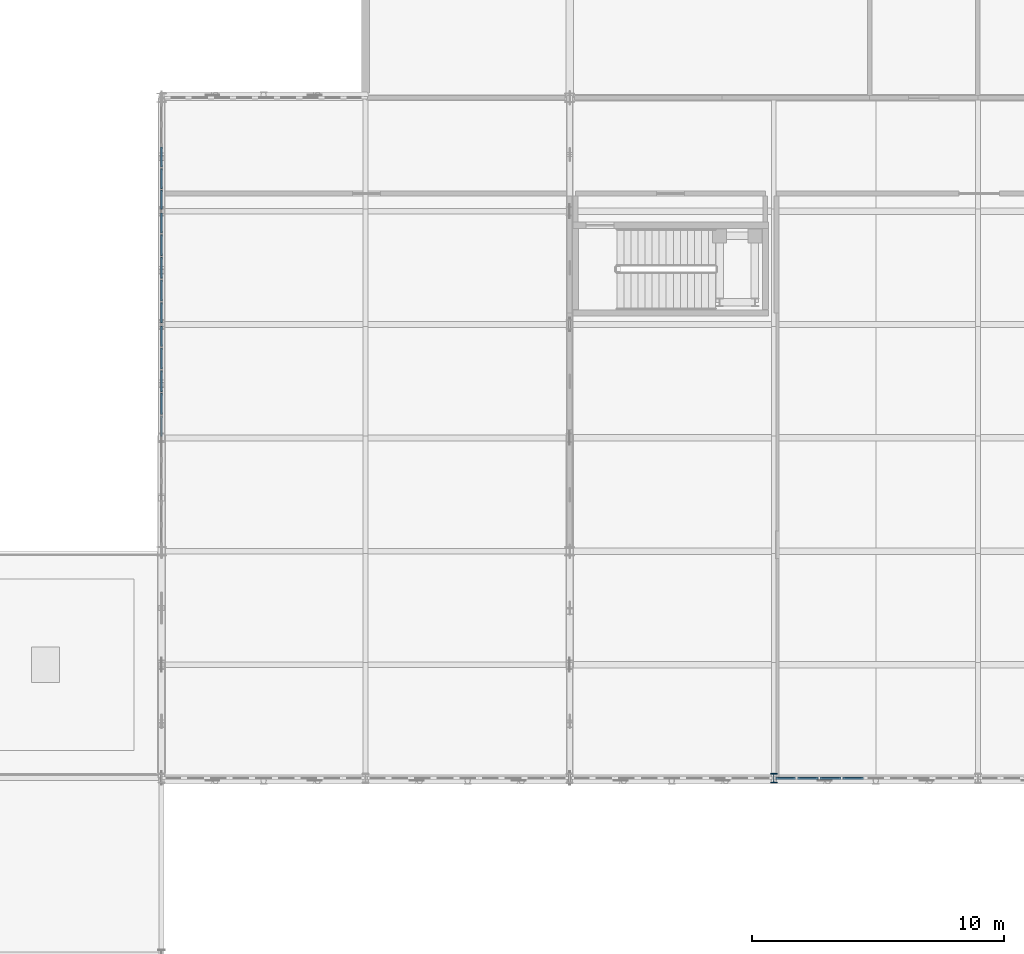
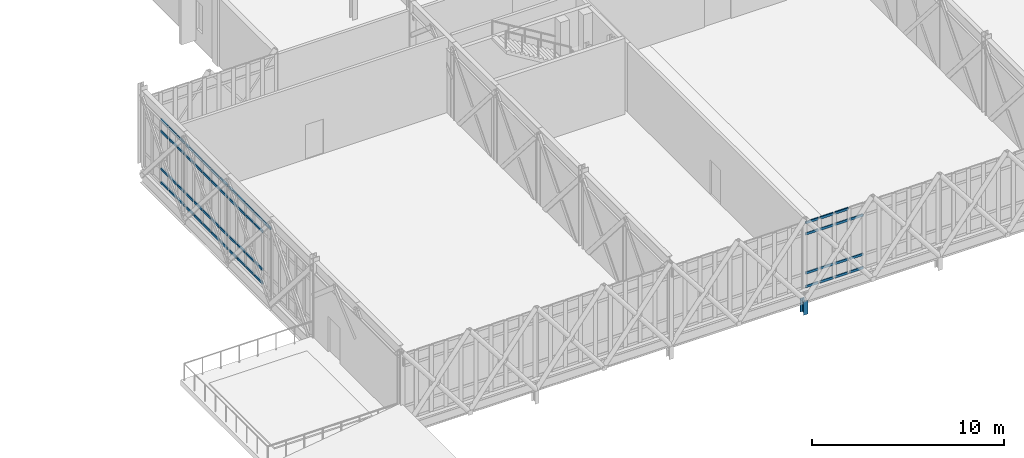
# One storey, part 45 of 107: 65 members, 4 elements without a shape of their own.
"""IFC4 building model written with IfcOpenShell, lengths in metres."""

from ifc_helpers import new_model, si_unit, direction, frame, origin, origin_2d, place, context, subcontext, project, spatial, rectangle, i_section, extrude, material, material_profile, profile_set, type_object, element, aggregate, save


model = new_model("IFC4")

# Units and contexts
model_context = context("Model", 3, precision=1e-05, world=origin(), true_north=direction((0.0, 1.0)))
body_context = subcontext(model_context, "Body", "Model", "MODEL_VIEW")
ifc_project = project(units=[si_unit("LENGTHUNIT", "METRE"), si_unit("AREAUNIT", "SQUARE_METRE"), si_unit("VOLUMEUNIT", "CUBIC_METRE"), si_unit("PLANEANGLEUNIT", "RADIAN"), si_unit("MASSUNIT", "GRAM", prefix="KILO")], contexts=[model_context])

# Site, building, storey
site_placement = place(None, origin())
site = spatial("IfcSite", under=ifc_project, at=site_placement, CompositionType="ELEMENT")
building_placement = place(site_placement, origin())
building = spatial("IfcBuilding", under=site, at=building_placement, Name="Tarnveldt Square Police Headquarters", CompositionType="ELEMENT")
storey_placement = place(building_placement, frame((0.0, 0.0, 14.699951171875)))
storey = spatial("IfcBuildingStorey", under=building, at=storey_placement, Name="L03", CompositionType="ELEMENT", Elevation=14.699951171875)

# Curtain wall, members
ifc_material_1 = material(Name="UL 752 Level III laminated ballistic vision glass", Category="glass")
curtain_wall_type_1 = type_object("IfcCurtainWallType", Name="CW-BL-810x414", PredefinedType="USERDEFINED", material=ifc_material_1)
curtain_wall_1_placement = place(storey_placement, origin())
curtain_wall_1 = element("IfcCurtainWall", 1, at=curtain_wall_1_placement, inside=storey, type_object=curtain_wall_type_1, Name="L03 Curtain Wall CW-L03-026", ObjectType="BALLISTIC CURTAIN WALL", PredefinedType="USERDEFINED")
ifc_material_2 = material(Name="Thermally broken anodised aluminium 6063-T6", Category="aluminium")
ifc_material_profile_1 = material_profile(ifc_material_2, rectangle(XDim=0.074951171875, YDim=0.14990234375, at=origin_2d()), Name="CW-T75x150")
ifc_profile_set_1 = profile_set([ifc_material_profile_1], Name="Thermally broken anodised aluminium 6063-T6")
member_type_1 = type_object("IfcMemberType", Name="CWT-75x150", PredefinedType="USERDEFINED", material=ifc_profile_set_1)
member_1_placement = place(storey_placement, frame((32.485107421875, 7.0, 0.03759765625), z_axis=(1.0, 0.0, 0.0), x_axis=(0.0, 1.0, 0.0)))
member_1 = element("IfcMember", 2, at=member_1_placement, type_object=member_type_1, Name="CW-BL13 transom 1.1", ObjectType="TRANSOM", PredefinedType="USERDEFINED", context=body_context, shape_type="SweptSolid", body=[
    extrude(rectangle(XDim=0.074951171875, YDim=0.14990234375, at=origin_2d()), origin(), (0.0, 0.0, 1.0), 0.7724609375),
])
member_2_placement = place(storey_placement, frame((32.485107421875, 7.0, 0.900146484375), z_axis=(1.0, 0.0, 0.0), x_axis=(0.0, 1.0, 0.0)))
member_2 = element("IfcMember", 3, at=member_2_placement, type_object=member_type_1, Name="CW-BL13 transom 1.2", ObjectType="TRANSOM", PredefinedType="USERDEFINED", context=body_context, shape_type="SweptSolid", body=[
    extrude(rectangle(XDim=0.074951171875, YDim=0.14990234375, at=origin_2d()), origin(), (0.0, 0.0, 1.0), 0.7724609375),
])
member_3_placement = place(storey_placement, frame((32.485107421875, 7.0, 3.39404296875), z_axis=(1.0, 0.0, 0.0), x_axis=(0.0, 1.0, 0.0)))
member_3 = element("IfcMember", 4, at=member_3_placement, type_object=member_type_1, Name="CW-BL13 transom 1.3", ObjectType="TRANSOM", PredefinedType="USERDEFINED", context=body_context, shape_type="SweptSolid", body=[
    extrude(rectangle(XDim=0.074951171875, YDim=0.14990234375, at=origin_2d()), origin(), (0.0, 0.0, 1.0), 0.7724609375),
])
member_4_placement = place(storey_placement, frame((32.485107421875, 7.0, 4.1064453125), z_axis=(1.0, 0.0, 0.0), x_axis=(0.0, 1.0, 0.0)))
member_4 = element("IfcMember", 5, at=member_4_placement, type_object=member_type_1, Name="CW-BL13 transom 1.4", ObjectType="TRANSOM", PredefinedType="USERDEFINED", context=body_context, shape_type="SweptSolid", body=[
    extrude(rectangle(XDim=0.074951171875, YDim=0.14990234375, at=origin_2d()), origin(), (0.0, 0.0, 1.0), 0.7724609375),
])
member_5_placement = place(storey_placement, frame((33.342529296875, 7.0, 0.03759765625), z_axis=(1.0, 0.0, 0.0), x_axis=(0.0, 1.0, 0.0)))
member_5 = element("IfcMember", 6, at=member_5_placement, type_object=member_type_1, Name="CW-BL13 transom 2.1", ObjectType="TRANSOM", PredefinedType="USERDEFINED", context=body_context, shape_type="SweptSolid", body=[
    extrude(rectangle(XDim=0.074951171875, YDim=0.14990234375, at=origin_2d()), origin(), (0.0, 0.0, 1.0), 0.81494140625),
])
member_6_placement = place(storey_placement, frame((33.342529296875, 7.0, 0.900146484375), z_axis=(1.0, 0.0, 0.0), x_axis=(0.0, 1.0, 0.0)))
member_6 = element("IfcMember", 7, at=member_6_placement, type_object=member_type_1, Name="CW-BL13 transom 2.2", ObjectType="TRANSOM", PredefinedType="USERDEFINED", context=body_context, shape_type="SweptSolid", body=[
    extrude(rectangle(XDim=0.074951171875, YDim=0.14990234375, at=origin_2d()), origin(), (0.0, 0.0, 1.0), 0.81494140625),
])
member_7_placement = place(storey_placement, frame((33.342529296875, 7.0, 3.39404296875), z_axis=(1.0, 0.0, 0.0), x_axis=(0.0, 1.0, 0.0)))
member_7 = element("IfcMember", 8, at=member_7_placement, type_object=member_type_1, Name="CW-BL13 transom 2.3", ObjectType="TRANSOM", PredefinedType="USERDEFINED", context=body_context, shape_type="SweptSolid", body=[
    extrude(rectangle(XDim=0.074951171875, YDim=0.14990234375, at=origin_2d()), origin(), (0.0, 0.0, 1.0), 0.81494140625),
])
member_8_placement = place(storey_placement, frame((33.342529296875, 7.0, 4.1064453125), z_axis=(1.0, 0.0, 0.0), x_axis=(0.0, 1.0, 0.0)))
member_8 = element("IfcMember", 9, at=member_8_placement, type_object=member_type_1, Name="CW-BL13 transom 2.4", ObjectType="TRANSOM", PredefinedType="USERDEFINED", context=body_context, shape_type="SweptSolid", body=[
    extrude(rectangle(XDim=0.074951171875, YDim=0.14990234375, at=origin_2d()), origin(), (0.0, 0.0, 1.0), 0.81494140625),
])
member_9_placement = place(storey_placement, frame((34.242431640625, 7.0, 0.03759765625), z_axis=(1.0, 0.0, 0.0), x_axis=(0.0, 1.0, 0.0)))
member_9 = element("IfcMember", 10, at=member_9_placement, type_object=member_type_1, Name="CW-BL13 transom 3.1", ObjectType="TRANSOM", PredefinedType="USERDEFINED", context=body_context, shape_type="SweptSolid", body=[
    extrude(rectangle(XDim=0.074951171875, YDim=0.14990234375, at=origin_2d()), origin(), (0.0, 0.0, 1.0), 0.815185546875),
])
member_10_placement = place(storey_placement, frame((34.242431640625, 7.0, 0.900146484375), z_axis=(1.0, 0.0, 0.0), x_axis=(0.0, 1.0, 0.0)))
member_10 = element("IfcMember", 11, at=member_10_placement, type_object=member_type_1, Name="CW-BL13 transom 3.2", ObjectType="TRANSOM", PredefinedType="USERDEFINED", context=body_context, shape_type="SweptSolid", body=[
    extrude(rectangle(XDim=0.074951171875, YDim=0.14990234375, at=origin_2d()), origin(), (0.0, 0.0, 1.0), 0.815185546875),
])
member_11_placement = place(storey_placement, frame((34.242431640625, 7.0, 3.39404296875), z_axis=(1.0, 0.0, 0.0), x_axis=(0.0, 1.0, 0.0)))
member_11 = element("IfcMember", 12, at=member_11_placement, type_object=member_type_1, Name="CW-BL13 transom 3.3", ObjectType="TRANSOM", PredefinedType="USERDEFINED", context=body_context, shape_type="SweptSolid", body=[
    extrude(rectangle(XDim=0.074951171875, YDim=0.14990234375, at=origin_2d()), origin(), (0.0, 0.0, 1.0), 0.815185546875),
])
member_12_placement = place(storey_placement, frame((34.242431640625, 7.0, 4.1064453125), z_axis=(1.0, 0.0, 0.0), x_axis=(0.0, 1.0, 0.0)))
member_12 = element("IfcMember", 13, at=member_12_placement, type_object=member_type_1, Name="CW-BL13 transom 3.4", ObjectType="TRANSOM", PredefinedType="USERDEFINED", context=body_context, shape_type="SweptSolid", body=[
    extrude(rectangle(XDim=0.074951171875, YDim=0.14990234375, at=origin_2d()), origin(), (0.0, 0.0, 1.0), 0.815185546875),
])
member_13_placement = place(storey_placement, frame((35.142578125, 7.0, 0.03759765625), z_axis=(1.0, 0.0, 0.0), x_axis=(0.0, 1.0, 0.0)))
member_13 = element("IfcMember", 14, at=member_13_placement, type_object=member_type_1, Name="CW-BL13 transom 4.1", ObjectType="TRANSOM", PredefinedType="USERDEFINED", context=body_context, shape_type="SweptSolid", body=[
    extrude(rectangle(XDim=0.074951171875, YDim=0.14990234375, at=origin_2d()), origin(), (0.0, 0.0, 1.0), 0.81494140625),
])
member_14_placement = place(storey_placement, frame((35.142578125, 7.0, 0.900146484375), z_axis=(1.0, 0.0, 0.0), x_axis=(0.0, 1.0, 0.0)))
member_14 = element("IfcMember", 15, at=member_14_placement, type_object=member_type_1, Name="CW-BL13 transom 4.2", ObjectType="TRANSOM", PredefinedType="USERDEFINED", context=body_context, shape_type="SweptSolid", body=[
    extrude(rectangle(XDim=0.074951171875, YDim=0.14990234375, at=origin_2d()), origin(), (0.0, 0.0, 1.0), 0.81494140625),
])
member_15_placement = place(storey_placement, frame((35.142578125, 7.0, 3.39404296875), z_axis=(1.0, 0.0, 0.0), x_axis=(0.0, 1.0, 0.0)))
member_15 = element("IfcMember", 16, at=member_15_placement, type_object=member_type_1, Name="CW-BL13 transom 4.3", ObjectType="TRANSOM", PredefinedType="USERDEFINED", context=body_context, shape_type="SweptSolid", body=[
    extrude(rectangle(XDim=0.074951171875, YDim=0.14990234375, at=origin_2d()), origin(), (0.0, 0.0, 1.0), 0.81494140625),
])
aggregate(curtain_wall_1, [member_1, member_2, member_3, member_4, member_5, member_6, member_7, member_8, member_9, member_10, member_11, member_12, member_13, member_14, member_15])

ifc_material_3 = material(Name="Triple-glazed low-e laminated vision glass", Category="glass")
curtain_wall_type_2 = type_object("IfcCurtainWallType", Name="CW-LT-450x407", PredefinedType="USERDEFINED", material=ifc_material_3)
curtain_wall_2_placement = place(storey_placement, origin())
curtain_wall_2 = element("IfcCurtainWall", 17, at=curtain_wall_2_placement, inside=storey, type_object=curtain_wall_type_2, Name="L03 Curtain Wall CW-L03-034", ObjectType="GLAZED CURTAIN WALL", PredefinedType="USERDEFINED")
member_16_placement = place(storey_placement, frame((8.10009765625, 20.574951171875, 4.028564453125), z_axis=(0.0, 1.0, 0.0), x_axis=(-1.0, 0.0, 0.0)))
member_16 = element("IfcMember", 18, at=member_16_placement, type_object=member_type_1, Name="CW-LT16 transom 1.4", ObjectType="TRANSOM", PredefinedType="USERDEFINED", context=body_context, shape_type="SweptSolid", body=[
    extrude(rectangle(XDim=0.074951171875, YDim=0.14990234375, at=origin_2d()), origin(), (0.0, 0.0, 1.0), 0.78759765625),
])
member_17_placement = place(storey_placement, frame((8.10009765625, 21.4375, 0.03759765625), z_axis=(0.0, 1.0, 0.0), x_axis=(-1.0, 0.0, 0.0)))
member_17 = element("IfcMember", 19, at=member_17_placement, type_object=member_type_1, Name="CW-LT16 transom 2.1", ObjectType="TRANSOM", PredefinedType="USERDEFINED", context=body_context, shape_type="SweptSolid", body=[
    extrude(rectangle(XDim=0.074951171875, YDim=0.14990234375, at=origin_2d()), origin(), (0.0, 0.0, 1.0), 0.824951171875),
])
member_18_placement = place(storey_placement, frame((8.10009765625, 21.4375, 0.900146484375), z_axis=(0.0, 1.0, 0.0), x_axis=(-1.0, 0.0, 0.0)))
member_18 = element("IfcMember", 20, at=member_18_placement, type_object=member_type_1, Name="CW-LT16 transom 2.2", ObjectType="TRANSOM", PredefinedType="USERDEFINED", context=body_context, shape_type="SweptSolid", body=[
    extrude(rectangle(XDim=0.074951171875, YDim=0.14990234375, at=origin_2d()), origin(), (0.0, 0.0, 1.0), 0.824951171875),
])
member_19_placement = place(storey_placement, frame((8.10009765625, 21.4375, 3.316162109375), z_axis=(0.0, 1.0, 0.0), x_axis=(-1.0, 0.0, 0.0)))
member_19 = element("IfcMember", 21, at=member_19_placement, type_object=member_type_1, Name="CW-LT16 transom 2.3", ObjectType="TRANSOM", PredefinedType="USERDEFINED", context=body_context, shape_type="SweptSolid", body=[
    extrude(rectangle(XDim=0.074951171875, YDim=0.14990234375, at=origin_2d()), origin(), (0.0, 0.0, 1.0), 0.824951171875),
])
member_20_placement = place(storey_placement, frame((8.10009765625, 21.4375, 4.028564453125), z_axis=(0.0, 1.0, 0.0), x_axis=(-1.0, 0.0, 0.0)))
member_20 = element("IfcMember", 22, at=member_20_placement, type_object=member_type_1, Name="CW-LT16 transom 2.4", ObjectType="TRANSOM", PredefinedType="USERDEFINED", context=body_context, shape_type="SweptSolid", body=[
    extrude(rectangle(XDim=0.074951171875, YDim=0.14990234375, at=origin_2d()), origin(), (0.0, 0.0, 1.0), 0.824951171875),
])
member_21_placement = place(storey_placement, frame((8.10009765625, 22.33740234375, 0.03759765625), z_axis=(0.0, 1.0, 0.0), x_axis=(-1.0, 0.0, 0.0)))
member_21 = element("IfcMember", 23, at=member_21_placement, type_object=member_type_1, Name="CW-LT16 transom 3.1", ObjectType="TRANSOM", PredefinedType="USERDEFINED", context=body_context, shape_type="SweptSolid", body=[
    extrude(rectangle(XDim=0.074951171875, YDim=0.14990234375, at=origin_2d()), origin(), (0.0, 0.0, 1.0), 0.8251953125),
])
member_22_placement = place(storey_placement, frame((8.10009765625, 22.33740234375, 0.900146484375), z_axis=(0.0, 1.0, 0.0), x_axis=(-1.0, 0.0, 0.0)))
member_22 = element("IfcMember", 24, at=member_22_placement, type_object=member_type_1, Name="CW-LT16 transom 3.2", ObjectType="TRANSOM", PredefinedType="USERDEFINED", context=body_context, shape_type="SweptSolid", body=[
    extrude(rectangle(XDim=0.074951171875, YDim=0.14990234375, at=origin_2d()), origin(), (0.0, 0.0, 1.0), 0.8251953125),
])
member_23_placement = place(storey_placement, frame((8.10009765625, 22.33740234375, 3.316162109375), z_axis=(0.0, 1.0, 0.0), x_axis=(-1.0, 0.0, 0.0)))
member_23 = element("IfcMember", 25, at=member_23_placement, type_object=member_type_1, Name="CW-LT16 transom 3.3", ObjectType="TRANSOM", PredefinedType="USERDEFINED", context=body_context, shape_type="SweptSolid", body=[
    extrude(rectangle(XDim=0.074951171875, YDim=0.14990234375, at=origin_2d()), origin(), (0.0, 0.0, 1.0), 0.8251953125),
])
member_24_placement = place(storey_placement, frame((8.10009765625, 22.33740234375, 4.028564453125), z_axis=(0.0, 1.0, 0.0), x_axis=(-1.0, 0.0, 0.0)))
member_24 = element("IfcMember", 26, at=member_24_placement, type_object=member_type_1, Name="CW-LT16 transom 3.4", ObjectType="TRANSOM", PredefinedType="USERDEFINED", context=body_context, shape_type="SweptSolid", body=[
    extrude(rectangle(XDim=0.074951171875, YDim=0.14990234375, at=origin_2d()), origin(), (0.0, 0.0, 1.0), 0.8251953125),
])
member_25_placement = place(storey_placement, frame((8.10009765625, 23.237548828125, 0.03759765625), z_axis=(0.0, 1.0, 0.0), x_axis=(-1.0, 0.0, 0.0)))
member_25 = element("IfcMember", 27, at=member_25_placement, type_object=member_type_1, Name="CW-LT16 transom 4.1", ObjectType="TRANSOM", PredefinedType="USERDEFINED", context=body_context, shape_type="SweptSolid", body=[
    extrude(rectangle(XDim=0.074951171875, YDim=0.14990234375, at=origin_2d()), origin(), (0.0, 0.0, 1.0), 0.824951171875),
])
member_26_placement = place(storey_placement, frame((8.10009765625, 23.237548828125, 0.900146484375), z_axis=(0.0, 1.0, 0.0), x_axis=(-1.0, 0.0, 0.0)))
member_26 = element("IfcMember", 28, at=member_26_placement, type_object=member_type_1, Name="CW-LT16 transom 4.2", ObjectType="TRANSOM", PredefinedType="USERDEFINED", context=body_context, shape_type="SweptSolid", body=[
    extrude(rectangle(XDim=0.074951171875, YDim=0.14990234375, at=origin_2d()), origin(), (0.0, 0.0, 1.0), 0.824951171875),
])
member_27_placement = place(storey_placement, frame((8.10009765625, 23.237548828125, 3.316162109375), z_axis=(0.0, 1.0, 0.0), x_axis=(-1.0, 0.0, 0.0)))
member_27 = element("IfcMember", 29, at=member_27_placement, type_object=member_type_1, Name="CW-LT16 transom 4.3", ObjectType="TRANSOM", PredefinedType="USERDEFINED", context=body_context, shape_type="SweptSolid", body=[
    extrude(rectangle(XDim=0.074951171875, YDim=0.14990234375, at=origin_2d()), origin(), (0.0, 0.0, 1.0), 0.824951171875),
])
member_28_placement = place(storey_placement, frame((8.10009765625, 23.237548828125, 4.028564453125), z_axis=(0.0, 1.0, 0.0), x_axis=(-1.0, 0.0, 0.0)))
member_28 = element("IfcMember", 30, at=member_28_placement, type_object=member_type_1, Name="CW-LT16 transom 4.4", ObjectType="TRANSOM", PredefinedType="USERDEFINED", context=body_context, shape_type="SweptSolid", body=[
    extrude(rectangle(XDim=0.074951171875, YDim=0.14990234375, at=origin_2d()), origin(), (0.0, 0.0, 1.0), 0.824951171875),
])
member_29_placement = place(storey_placement, frame((8.10009765625, 24.137451171875, 0.03759765625), z_axis=(0.0, 1.0, 0.0), x_axis=(-1.0, 0.0, 0.0)))
member_29 = element("IfcMember", 31, at=member_29_placement, type_object=member_type_1, Name="CW-LT16 transom 5.1", ObjectType="TRANSOM", PredefinedType="USERDEFINED", context=body_context, shape_type="SweptSolid", body=[
    extrude(rectangle(XDim=0.074951171875, YDim=0.14990234375, at=origin_2d()), origin(), (0.0, 0.0, 1.0), 0.78759765625),
])
member_30_placement = place(storey_placement, frame((8.10009765625, 24.137451171875, 0.900146484375), z_axis=(0.0, 1.0, 0.0), x_axis=(-1.0, 0.0, 0.0)))
member_30 = element("IfcMember", 32, at=member_30_placement, type_object=member_type_1, Name="CW-LT16 transom 5.2", ObjectType="TRANSOM", PredefinedType="USERDEFINED", context=body_context, shape_type="SweptSolid", body=[
    extrude(rectangle(XDim=0.074951171875, YDim=0.14990234375, at=origin_2d()), origin(), (0.0, 0.0, 1.0), 0.78759765625),
])
member_31_placement = place(storey_placement, frame((8.10009765625, 24.137451171875, 3.316162109375), z_axis=(0.0, 1.0, 0.0), x_axis=(-1.0, 0.0, 0.0)))
member_31 = element("IfcMember", 33, at=member_31_placement, type_object=member_type_1, Name="CW-LT16 transom 5.3", ObjectType="TRANSOM", PredefinedType="USERDEFINED", context=body_context, shape_type="SweptSolid", body=[
    extrude(rectangle(XDim=0.074951171875, YDim=0.14990234375, at=origin_2d()), origin(), (0.0, 0.0, 1.0), 0.78759765625),
])
member_32_placement = place(storey_placement, frame((8.10009765625, 24.137451171875, 4.028564453125), z_axis=(0.0, 1.0, 0.0), x_axis=(-1.0, 0.0, 0.0)))
member_32 = element("IfcMember", 34, at=member_32_placement, type_object=member_type_1, Name="CW-LT16 transom 5.4", ObjectType="TRANSOM", PredefinedType="USERDEFINED", context=body_context, shape_type="SweptSolid", body=[
    extrude(rectangle(XDim=0.074951171875, YDim=0.14990234375, at=origin_2d()), origin(), (0.0, 0.0, 1.0), 0.78759765625),
])
aggregate(curtain_wall_2, [member_16, member_17, member_18, member_19, member_20, member_21, member_22, member_23, member_24, member_25, member_26, member_27, member_28, member_29, member_30, member_31, member_32])

curtain_wall_3_placement = place(storey_placement, origin())
curtain_wall_3 = element("IfcCurtainWall", 35, at=curtain_wall_3_placement, inside=storey, type_object=curtain_wall_type_2, Name="L03 Curtain Wall CW-L03-035", ObjectType="GLAZED CURTAIN WALL", PredefinedType="USERDEFINED")
member_33_placement = place(storey_placement, frame((8.10009765625, 25.074951171875, 0.03759765625), z_axis=(0.0, 1.0, 0.0), x_axis=(-1.0, 0.0, 0.0)))
member_33 = element("IfcMember", 36, at=member_33_placement, type_object=member_type_1, Name="CW-LT16 transom 1.1", ObjectType="TRANSOM", PredefinedType="USERDEFINED", context=body_context, shape_type="SweptSolid", body=[
    extrude(rectangle(XDim=0.074951171875, YDim=0.14990234375, at=origin_2d()), origin(), (0.0, 0.0, 1.0), 0.78759765625),
])
member_34_placement = place(storey_placement, frame((8.10009765625, 25.074951171875, 0.900146484375), z_axis=(0.0, 1.0, 0.0), x_axis=(-1.0, 0.0, 0.0)))
member_34 = element("IfcMember", 37, at=member_34_placement, type_object=member_type_1, Name="CW-LT16 transom 1.2", ObjectType="TRANSOM", PredefinedType="USERDEFINED", context=body_context, shape_type="SweptSolid", body=[
    extrude(rectangle(XDim=0.074951171875, YDim=0.14990234375, at=origin_2d()), origin(), (0.0, 0.0, 1.0), 0.78759765625),
])
member_35_placement = place(storey_placement, frame((8.10009765625, 25.074951171875, 3.316162109375), z_axis=(0.0, 1.0, 0.0), x_axis=(-1.0, 0.0, 0.0)))
member_35 = element("IfcMember", 38, at=member_35_placement, type_object=member_type_1, Name="CW-LT16 transom 1.3", ObjectType="TRANSOM", PredefinedType="USERDEFINED", context=body_context, shape_type="SweptSolid", body=[
    extrude(rectangle(XDim=0.074951171875, YDim=0.14990234375, at=origin_2d()), origin(), (0.0, 0.0, 1.0), 0.78759765625),
])
member_36_placement = place(storey_placement, frame((8.10009765625, 25.074951171875, 4.028564453125), z_axis=(0.0, 1.0, 0.0), x_axis=(-1.0, 0.0, 0.0)))
member_36 = element("IfcMember", 39, at=member_36_placement, type_object=member_type_1, Name="CW-LT16 transom 1.4", ObjectType="TRANSOM", PredefinedType="USERDEFINED", context=body_context, shape_type="SweptSolid", body=[
    extrude(rectangle(XDim=0.074951171875, YDim=0.14990234375, at=origin_2d()), origin(), (0.0, 0.0, 1.0), 0.78759765625),
])
member_37_placement = place(storey_placement, frame((8.10009765625, 25.9375, 0.03759765625), z_axis=(0.0, 1.0, 0.0), x_axis=(-1.0, 0.0, 0.0)))
member_37 = element("IfcMember", 40, at=member_37_placement, type_object=member_type_1, Name="CW-LT16 transom 2.1", ObjectType="TRANSOM", PredefinedType="USERDEFINED", context=body_context, shape_type="SweptSolid", body=[
    extrude(rectangle(XDim=0.074951171875, YDim=0.14990234375, at=origin_2d()), origin(), (0.0, 0.0, 1.0), 0.824951171875),
])
member_38_placement = place(storey_placement, frame((8.10009765625, 25.9375, 0.900146484375), z_axis=(0.0, 1.0, 0.0), x_axis=(-1.0, 0.0, 0.0)))
member_38 = element("IfcMember", 41, at=member_38_placement, type_object=member_type_1, Name="CW-LT16 transom 2.2", ObjectType="TRANSOM", PredefinedType="USERDEFINED", context=body_context, shape_type="SweptSolid", body=[
    extrude(rectangle(XDim=0.074951171875, YDim=0.14990234375, at=origin_2d()), origin(), (0.0, 0.0, 1.0), 0.824951171875),
])
member_39_placement = place(storey_placement, frame((8.10009765625, 25.9375, 3.316162109375), z_axis=(0.0, 1.0, 0.0), x_axis=(-1.0, 0.0, 0.0)))
member_39 = element("IfcMember", 42, at=member_39_placement, type_object=member_type_1, Name="CW-LT16 transom 2.3", ObjectType="TRANSOM", PredefinedType="USERDEFINED", context=body_context, shape_type="SweptSolid", body=[
    extrude(rectangle(XDim=0.074951171875, YDim=0.14990234375, at=origin_2d()), origin(), (0.0, 0.0, 1.0), 0.824951171875),
])
member_40_placement = place(storey_placement, frame((8.10009765625, 25.9375, 4.028564453125), z_axis=(0.0, 1.0, 0.0), x_axis=(-1.0, 0.0, 0.0)))
member_40 = element("IfcMember", 43, at=member_40_placement, type_object=member_type_1, Name="CW-LT16 transom 2.4", ObjectType="TRANSOM", PredefinedType="USERDEFINED", context=body_context, shape_type="SweptSolid", body=[
    extrude(rectangle(XDim=0.074951171875, YDim=0.14990234375, at=origin_2d()), origin(), (0.0, 0.0, 1.0), 0.824951171875),
])
member_41_placement = place(storey_placement, frame((8.10009765625, 26.83740234375, 0.03759765625), z_axis=(0.0, 1.0, 0.0), x_axis=(-1.0, 0.0, 0.0)))
member_41 = element("IfcMember", 44, at=member_41_placement, type_object=member_type_1, Name="CW-LT16 transom 3.1", ObjectType="TRANSOM", PredefinedType="USERDEFINED", context=body_context, shape_type="SweptSolid", body=[
    extrude(rectangle(XDim=0.074951171875, YDim=0.14990234375, at=origin_2d()), origin(), (0.0, 0.0, 1.0), 0.8251953125),
])
member_42_placement = place(storey_placement, frame((8.10009765625, 26.83740234375, 0.900146484375), z_axis=(0.0, 1.0, 0.0), x_axis=(-1.0, 0.0, 0.0)))
member_42 = element("IfcMember", 45, at=member_42_placement, type_object=member_type_1, Name="CW-LT16 transom 3.2", ObjectType="TRANSOM", PredefinedType="USERDEFINED", context=body_context, shape_type="SweptSolid", body=[
    extrude(rectangle(XDim=0.074951171875, YDim=0.14990234375, at=origin_2d()), origin(), (0.0, 0.0, 1.0), 0.8251953125),
])
member_43_placement = place(storey_placement, frame((8.10009765625, 26.83740234375, 3.316162109375), z_axis=(0.0, 1.0, 0.0), x_axis=(-1.0, 0.0, 0.0)))
member_43 = element("IfcMember", 46, at=member_43_placement, type_object=member_type_1, Name="CW-LT16 transom 3.3", ObjectType="TRANSOM", PredefinedType="USERDEFINED", context=body_context, shape_type="SweptSolid", body=[
    extrude(rectangle(XDim=0.074951171875, YDim=0.14990234375, at=origin_2d()), origin(), (0.0, 0.0, 1.0), 0.8251953125),
])
member_44_placement = place(storey_placement, frame((8.10009765625, 26.83740234375, 4.028564453125), z_axis=(0.0, 1.0, 0.0), x_axis=(-1.0, 0.0, 0.0)))
member_44 = element("IfcMember", 47, at=member_44_placement, type_object=member_type_1, Name="CW-LT16 transom 3.4", ObjectType="TRANSOM", PredefinedType="USERDEFINED", context=body_context, shape_type="SweptSolid", body=[
    extrude(rectangle(XDim=0.074951171875, YDim=0.14990234375, at=origin_2d()), origin(), (0.0, 0.0, 1.0), 0.8251953125),
])
member_45_placement = place(storey_placement, frame((8.10009765625, 27.737548828125, 0.03759765625), z_axis=(0.0, 1.0, 0.0), x_axis=(-1.0, 0.0, 0.0)))
member_45 = element("IfcMember", 48, at=member_45_placement, type_object=member_type_1, Name="CW-LT16 transom 4.1", ObjectType="TRANSOM", PredefinedType="USERDEFINED", context=body_context, shape_type="SweptSolid", body=[
    extrude(rectangle(XDim=0.074951171875, YDim=0.14990234375, at=origin_2d()), origin(), (0.0, 0.0, 1.0), 0.824951171875),
])
member_46_placement = place(storey_placement, frame((8.10009765625, 27.737548828125, 0.900146484375), z_axis=(0.0, 1.0, 0.0), x_axis=(-1.0, 0.0, 0.0)))
member_46 = element("IfcMember", 49, at=member_46_placement, type_object=member_type_1, Name="CW-LT16 transom 4.2", ObjectType="TRANSOM", PredefinedType="USERDEFINED", context=body_context, shape_type="SweptSolid", body=[
    extrude(rectangle(XDim=0.074951171875, YDim=0.14990234375, at=origin_2d()), origin(), (0.0, 0.0, 1.0), 0.824951171875),
])
member_47_placement = place(storey_placement, frame((8.10009765625, 27.737548828125, 3.316162109375), z_axis=(0.0, 1.0, 0.0), x_axis=(-1.0, 0.0, 0.0)))
member_47 = element("IfcMember", 50, at=member_47_placement, type_object=member_type_1, Name="CW-LT16 transom 4.3", ObjectType="TRANSOM", PredefinedType="USERDEFINED", context=body_context, shape_type="SweptSolid", body=[
    extrude(rectangle(XDim=0.074951171875, YDim=0.14990234375, at=origin_2d()), origin(), (0.0, 0.0, 1.0), 0.824951171875),
])
member_48_placement = place(storey_placement, frame((8.10009765625, 27.737548828125, 4.028564453125), z_axis=(0.0, 1.0, 0.0), x_axis=(-1.0, 0.0, 0.0)))
member_48 = element("IfcMember", 51, at=member_48_placement, type_object=member_type_1, Name="CW-LT16 transom 4.4", ObjectType="TRANSOM", PredefinedType="USERDEFINED", context=body_context, shape_type="SweptSolid", body=[
    extrude(rectangle(XDim=0.074951171875, YDim=0.14990234375, at=origin_2d()), origin(), (0.0, 0.0, 1.0), 0.824951171875),
])
member_49_placement = place(storey_placement, frame((8.10009765625, 28.637451171875, 0.03759765625), z_axis=(0.0, 1.0, 0.0), x_axis=(-1.0, 0.0, 0.0)))
member_49 = element("IfcMember", 52, at=member_49_placement, type_object=member_type_1, Name="CW-LT16 transom 5.1", ObjectType="TRANSOM", PredefinedType="USERDEFINED", context=body_context, shape_type="SweptSolid", body=[
    extrude(rectangle(XDim=0.074951171875, YDim=0.14990234375, at=origin_2d()), origin(), (0.0, 0.0, 1.0), 0.78759765625),
])
member_50_placement = place(storey_placement, frame((8.10009765625, 28.637451171875, 0.900146484375), z_axis=(0.0, 1.0, 0.0), x_axis=(-1.0, 0.0, 0.0)))
member_50 = element("IfcMember", 53, at=member_50_placement, type_object=member_type_1, Name="CW-LT16 transom 5.2", ObjectType="TRANSOM", PredefinedType="USERDEFINED", context=body_context, shape_type="SweptSolid", body=[
    extrude(rectangle(XDim=0.074951171875, YDim=0.14990234375, at=origin_2d()), origin(), (0.0, 0.0, 1.0), 0.78759765625),
])
member_51_placement = place(storey_placement, frame((8.10009765625, 28.637451171875, 3.316162109375), z_axis=(0.0, 1.0, 0.0), x_axis=(-1.0, 0.0, 0.0)))
member_51 = element("IfcMember", 54, at=member_51_placement, type_object=member_type_1, Name="CW-LT16 transom 5.3", ObjectType="TRANSOM", PredefinedType="USERDEFINED", context=body_context, shape_type="SweptSolid", body=[
    extrude(rectangle(XDim=0.074951171875, YDim=0.14990234375, at=origin_2d()), origin(), (0.0, 0.0, 1.0), 0.78759765625),
])
member_52_placement = place(storey_placement, frame((8.10009765625, 28.637451171875, 4.028564453125), z_axis=(0.0, 1.0, 0.0), x_axis=(-1.0, 0.0, 0.0)))
member_52 = element("IfcMember", 55, at=member_52_placement, type_object=member_type_1, Name="CW-LT16 transom 5.4", ObjectType="TRANSOM", PredefinedType="USERDEFINED", context=body_context, shape_type="SweptSolid", body=[
    extrude(rectangle(XDim=0.074951171875, YDim=0.14990234375, at=origin_2d()), origin(), (0.0, 0.0, 1.0), 0.78759765625),
])
aggregate(curtain_wall_3, [member_33, member_34, member_35, member_36, member_37, member_38, member_39, member_40, member_41, member_42, member_43, member_44, member_45, member_46, member_47, member_48, member_49, member_50, member_51, member_52])

curtain_wall_type_3 = type_object("IfcCurtainWallType", Name="CW-LT-430x407", PredefinedType="USERDEFINED", material=ifc_material_3)
curtain_wall_4_placement = place(storey_placement, origin())
curtain_wall_4 = element("IfcCurtainWall", 56, at=curtain_wall_4_placement, inside=storey, type_object=curtain_wall_type_3, Name="L03 Curtain Wall CW-L03-036", ObjectType="GLAZED CURTAIN WALL", PredefinedType="USERDEFINED")
member_53_placement = place(storey_placement, frame((8.10009765625, 29.574951171875, 0.03759765625), z_axis=(0.0, 1.0, 0.0), x_axis=(-1.0, 0.0, 0.0)))
member_53 = element("IfcMember", 57, at=member_53_placement, type_object=member_type_1, Name="CW-LT15 transom 1.1", ObjectType="TRANSOM", PredefinedType="USERDEFINED", context=body_context, shape_type="SweptSolid", body=[
    extrude(rectangle(XDim=0.074951171875, YDim=0.14990234375, at=origin_2d()), origin(), (0.0, 0.0, 1.0), 0.7470703125),
])
member_54_placement = place(storey_placement, frame((8.10009765625, 29.574951171875, 0.900146484375), z_axis=(0.0, 1.0, 0.0), x_axis=(-1.0, 0.0, 0.0)))
member_54 = element("IfcMember", 58, at=member_54_placement, type_object=member_type_1, Name="CW-LT15 transom 1.2", ObjectType="TRANSOM", PredefinedType="USERDEFINED", context=body_context, shape_type="SweptSolid", body=[
    extrude(rectangle(XDim=0.074951171875, YDim=0.14990234375, at=origin_2d()), origin(), (0.0, 0.0, 1.0), 0.7470703125),
])
member_55_placement = place(storey_placement, frame((8.10009765625, 29.574951171875, 3.316162109375), z_axis=(0.0, 1.0, 0.0), x_axis=(-1.0, 0.0, 0.0)))
member_55 = element("IfcMember", 59, at=member_55_placement, type_object=member_type_1, Name="CW-LT15 transom 1.3", ObjectType="TRANSOM", PredefinedType="USERDEFINED", context=body_context, shape_type="SweptSolid", body=[
    extrude(rectangle(XDim=0.074951171875, YDim=0.14990234375, at=origin_2d()), origin(), (0.0, 0.0, 1.0), 0.7470703125),
])
member_56_placement = place(storey_placement, frame((8.10009765625, 29.574951171875, 4.028564453125), z_axis=(0.0, 1.0, 0.0), x_axis=(-1.0, 0.0, 0.0)))
member_56 = element("IfcMember", 60, at=member_56_placement, type_object=member_type_1, Name="CW-LT15 transom 1.4", ObjectType="TRANSOM", PredefinedType="USERDEFINED", context=body_context, shape_type="SweptSolid", body=[
    extrude(rectangle(XDim=0.074951171875, YDim=0.14990234375, at=origin_2d()), origin(), (0.0, 0.0, 1.0), 0.7470703125),
])
member_57_placement = place(storey_placement, frame((8.10009765625, 30.397216796875, 0.03759765625), z_axis=(0.0, 1.0, 0.0), x_axis=(-1.0, 0.0, 0.0)))
member_57 = element("IfcMember", 61, at=member_57_placement, type_object=member_type_1, Name="CW-LT15 transom 2.1", ObjectType="TRANSOM", PredefinedType="USERDEFINED", context=body_context, shape_type="SweptSolid", body=[
    extrude(rectangle(XDim=0.074951171875, YDim=0.14990234375, at=origin_2d()), origin(), (0.0, 0.0, 1.0), 0.784423828125),
])
member_58_placement = place(storey_placement, frame((8.10009765625, 30.397216796875, 0.900146484375), z_axis=(0.0, 1.0, 0.0), x_axis=(-1.0, 0.0, 0.0)))
member_58 = element("IfcMember", 62, at=member_58_placement, type_object=member_type_1, Name="CW-LT15 transom 2.2", ObjectType="TRANSOM", PredefinedType="USERDEFINED", context=body_context, shape_type="SweptSolid", body=[
    extrude(rectangle(XDim=0.074951171875, YDim=0.14990234375, at=origin_2d()), origin(), (0.0, 0.0, 1.0), 0.784423828125),
])
member_59_placement = place(storey_placement, frame((8.10009765625, 30.397216796875, 3.316162109375), z_axis=(0.0, 1.0, 0.0), x_axis=(-1.0, 0.0, 0.0)))
member_59 = element("IfcMember", 63, at=member_59_placement, type_object=member_type_1, Name="CW-LT15 transom 2.3", ObjectType="TRANSOM", PredefinedType="USERDEFINED", context=body_context, shape_type="SweptSolid", body=[
    extrude(rectangle(XDim=0.074951171875, YDim=0.14990234375, at=origin_2d()), origin(), (0.0, 0.0, 1.0), 0.784423828125),
])
member_60_placement = place(storey_placement, frame((8.10009765625, 30.397216796875, 4.028564453125), z_axis=(0.0, 1.0, 0.0), x_axis=(-1.0, 0.0, 0.0)))
member_60 = element("IfcMember", 64, at=member_60_placement, type_object=member_type_1, Name="CW-LT15 transom 2.4", ObjectType="TRANSOM", PredefinedType="USERDEFINED", context=body_context, shape_type="SweptSolid", body=[
    extrude(rectangle(XDim=0.074951171875, YDim=0.14990234375, at=origin_2d()), origin(), (0.0, 0.0, 1.0), 0.784423828125),
])
member_61_placement = place(storey_placement, frame((8.10009765625, 31.256591796875, 0.03759765625), z_axis=(0.0, 1.0, 0.0), x_axis=(-1.0, 0.0, 0.0)))
member_61 = element("IfcMember", 65, at=member_61_placement, type_object=member_type_1, Name="CW-LT15 transom 3.1", ObjectType="TRANSOM", PredefinedType="USERDEFINED", context=body_context, shape_type="SweptSolid", body=[
    extrude(rectangle(XDim=0.074951171875, YDim=0.14990234375, at=origin_2d()), origin(), (0.0, 0.0, 1.0), 0.78466796875),
])
member_62_placement = place(storey_placement, frame((8.10009765625, 31.256591796875, 0.900146484375), z_axis=(0.0, 1.0, 0.0), x_axis=(-1.0, 0.0, 0.0)))
member_62 = element("IfcMember", 66, at=member_62_placement, type_object=member_type_1, Name="CW-LT15 transom 3.2", ObjectType="TRANSOM", PredefinedType="USERDEFINED", context=body_context, shape_type="SweptSolid", body=[
    extrude(rectangle(XDim=0.074951171875, YDim=0.14990234375, at=origin_2d()), origin(), (0.0, 0.0, 1.0), 0.78466796875),
])
member_63_placement = place(storey_placement, frame((8.10009765625, 31.256591796875, 3.316162109375), z_axis=(0.0, 1.0, 0.0), x_axis=(-1.0, 0.0, 0.0)))
member_63 = element("IfcMember", 67, at=member_63_placement, type_object=member_type_1, Name="CW-LT15 transom 3.3", ObjectType="TRANSOM", PredefinedType="USERDEFINED", context=body_context, shape_type="SweptSolid", body=[
    extrude(rectangle(XDim=0.074951171875, YDim=0.14990234375, at=origin_2d()), origin(), (0.0, 0.0, 1.0), 0.78466796875),
])
member_64_placement = place(storey_placement, frame((8.10009765625, 31.256591796875, 4.028564453125), z_axis=(0.0, 1.0, 0.0), x_axis=(-1.0, 0.0, 0.0)))
member_64 = element("IfcMember", 68, at=member_64_placement, type_object=member_type_1, Name="CW-LT15 transom 3.4", ObjectType="TRANSOM", PredefinedType="USERDEFINED", context=body_context, shape_type="SweptSolid", body=[
    extrude(rectangle(XDim=0.074951171875, YDim=0.14990234375, at=origin_2d()), origin(), (0.0, 0.0, 1.0), 0.78466796875),
])
aggregate(curtain_wall_4, [member_53, member_54, member_55, member_56, member_57, member_58, member_59, member_60, member_61, member_62, member_63, member_64])

# Member
ifc_material_4 = material(Name="Steel 350W", Category="steel")
ifc_material_profile_2 = material_profile(ifc_material_4, i_section(OverallWidth=0.257080078125, OverallDepth=0.363037109375, WebThickness=0.012939453125, FlangeThickness=0.021728515625, FilletRadius=0.01611328125, at=origin_2d()), Name="W360x122")
ifc_profile_set_2 = profile_set([ifc_material_profile_2], Name="Steel 350W")
member_type_2 = type_object("IfcMemberType", Name="MEM-CT-POST", PredefinedType="STRUT", material=ifc_profile_set_2)
member_65_placement = place(storey_placement, frame((32.39990234375, 7.0, -1.619873046875), z_axis=(0.0, 0.0, 1.0), x_axis=(1.0, 0.0, 0.0)))
element("IfcMember", 69, at=member_65_placement, inside=storey, type_object=member_type_2, Name="Lantern Soffit Tip Hanger 4", PredefinedType="STRUT", context=body_context, shape_type="SweptSolid", body=[
    extrude(i_section(OverallWidth=0.257080078125, OverallDepth=0.363037109375, WebThickness=0.012939453125, FlangeThickness=0.021728515625, FilletRadius=0.01611328125, at=origin_2d()), origin(), (0.0, 0.0, 1.0), 0.876953125),
])

save(model, "model.ifc")
